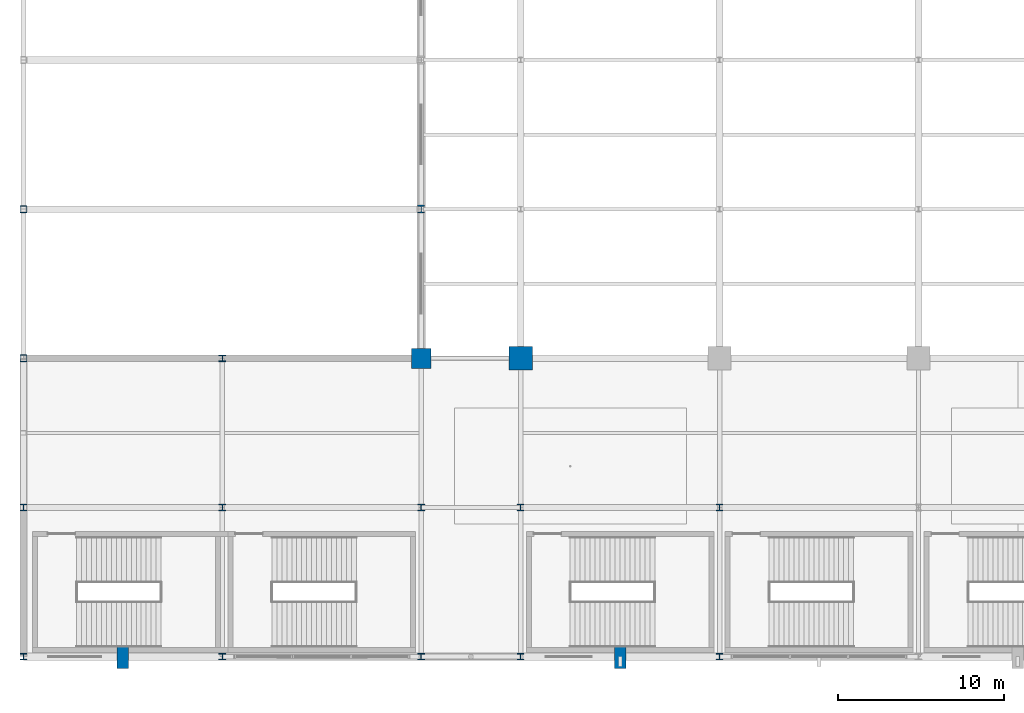
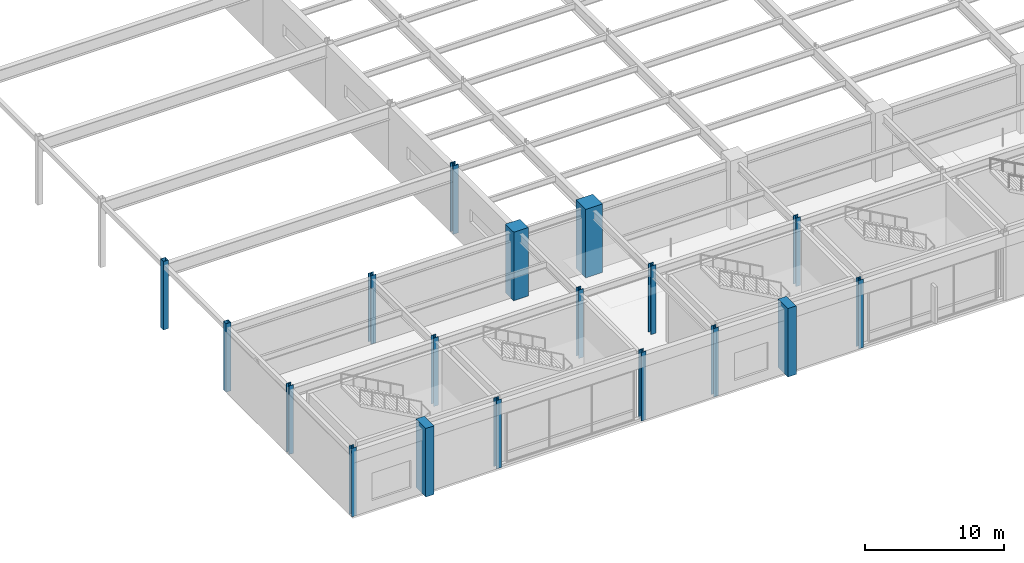
# One storey, part 1 of 105: 18 columns.
"""IFC4 building model written with IfcOpenShell, lengths in metres."""

import ifcopenshell
import ifcopenshell.guid

model = None  # the IFC model being written
_history = None  # IfcOwnerHistory: only IFC2X3 demands one
_inside = {}  # id of a spatial element -> (the spatial element, [elements in it])
_under = {}  # id of a project, library or spatial element -> (it, [spatial elements below it])
_declared = {}  # id of a project -> (the project, [libraries it declares])
_typed = {}  # id of a type object -> (the type object, [elements of that type])
_made_of = {}  # id of a material, layer set ... -> (it, [elements and type objects made of it])


def new_model(schema):
    """Start an empty IFC model of exactly this schema.

    Asked for "IFC4X3", IfcOpenShell would pick the latest addendum, in which some entities
    have other attributes; the version numbers below select the first issue.
    IFC2X3 requires an IfcOwnerHistory on every rooted entity: one is made here for all.
    """
    global model, _history
    if schema == "IFC4X3":
        model = ifcopenshell.file(schema_version=(4, 3, 0, 0))
    else:
        model = ifcopenshell.file(schema=schema)
    _inside.clear()
    _under.clear()
    _declared.clear()
    _typed.clear()
    _made_of.clear()
    _history = None
    if model.schema == "IFC2X3":
        org = make("IfcOrganization", Name="unknown")
        user = make(
            "IfcPersonAndOrganization",
            ThePerson=make("IfcPerson", FamilyName="unknown"),
            TheOrganization=org,
        )
        app = make(
            "IfcApplication",
            ApplicationDeveloper=org,
            Version="unknown",
            ApplicationFullName="unknown",
            ApplicationIdentifier="unknown",
        )
        _history = make(
            "IfcOwnerHistory",
            OwningUser=user,
            OwningApplication=app,
            ChangeAction="ADDED",
            CreationDate=0,
        )
    return model


def make(cls, **values):
    """One entity of the class cls with the attributes given. An attribute that is None is left unset."""
    return model.create_entity(
        cls, **{name: value for name, value in values.items() if value is not None}
    )


def rooted(cls, **values):
    """An entity with a GlobalId (a new one), such as an element, a storey or a relation."""
    return make(cls, GlobalId=ifcopenshell.guid.new(), OwnerHistory=_history, **values)


def si_unit(unit_type, name, prefix=None):
    """IfcSIUnit, for example si_unit("LENGTHUNIT", "METRE", prefix="MILLI")."""
    return make("IfcSIUnit", UnitType=unit_type, Prefix=prefix, Name=name)


def assignment(units):
    """IfcUnitAssignment: the units of a project."""
    return None if units is None else make("IfcUnitAssignment", Units=units)


def point(xyz):
    """IfcCartesianPoint."""
    return None if xyz is None else make("IfcCartesianPoint", Coordinates=xyz)


def direction(xyz):
    """IfcDirection."""
    return None if xyz is None else make("IfcDirection", DirectionRatios=xyz)


def frame(location, z_axis=None, x_axis=None):
    """IfcAxis2Placement3D, a coordinate frame: its origin and axes. An axis left out is left unset."""
    return make(
        "IfcAxis2Placement3D",
        Location=point(location),
        Axis=direction(z_axis),
        RefDirection=direction(x_axis),
    )


def frame_2d(location, x_axis=None):
    """IfcAxis2Placement2D, a coordinate frame in the plane: its origin and x axis."""
    return make(
        "IfcAxis2Placement2D", Location=point(location), RefDirection=direction(x_axis)
    )


def origin():
    """The frame at (0, 0, 0) with its axes left unset."""
    return frame((0.0, 0.0, 0.0))


def origin_2d():
    """The frame at (0, 0) in the plane with its x axis left unset."""
    return frame_2d((0.0, 0.0))


def place(relative_to, where):
    """IfcLocalPlacement: puts the frame where relative to a parent placement (None: the world)."""
    return make(
        "IfcLocalPlacement", PlacementRelTo=relative_to, RelativePlacement=where
    )


def context(
    kind, dimensions, precision=None, world=None, true_north=None, identifier=None
):
    """IfcGeometricRepresentationContext, for example the 3D "Model" context."""
    return make(
        "IfcGeometricRepresentationContext",
        ContextIdentifier=identifier,
        ContextType=kind,
        CoordinateSpaceDimension=dimensions,
        Precision=precision,
        WorldCoordinateSystem=world,
        TrueNorth=true_north,
    )


def subcontext(parent, identifier, kind, view, scale=None):
    """IfcGeometricRepresentationSubContext, for example "Body" below "Model"."""
    return make(
        "IfcGeometricRepresentationSubContext",
        ContextIdentifier=identifier,
        ContextType=kind,
        ParentContext=parent,
        TargetScale=scale,
        TargetView=view,
    )


def project(units=None, contexts=None):
    """IfcProject with its units and contexts."""
    return rooted(
        "IfcProject",
        Name="project",
        RepresentationContexts=contexts,
        UnitsInContext=assignment(units),
    )


def spatial(cls, under=None, at=None, **own):
    """A site, building, storey or space (cls), placed at a placement, below another one or the project."""
    s = rooted(cls, ObjectPlacement=at, **own)
    if under is not None:
        _under.setdefault(under.id(), (under, []))[1].append(s)
    return s


def profile(cls, at=None, kind="AREA", **sizes):
    """A parametric profile (cls). Its sizes go by their IFC names, for example OverallWidth=200.0."""
    return make(cls, ProfileType=kind, Position=at, **sizes)


def rectangle(**sizes):
    """IfcRectangleProfileDef."""
    return profile("IfcRectangleProfileDef", **sizes)


def hollow_rectangle(**sizes):
    """IfcRectangleHollowProfileDef."""
    return profile("IfcRectangleHollowProfileDef", **sizes)


def i_section(**sizes):
    """IfcIShapeProfileDef."""
    return profile("IfcIShapeProfileDef", **sizes)


def extrude(swept, where, along, depth):
    """IfcExtrudedAreaSolid: the profile swept, set in the frame where, extruded along a direction by depth."""
    return make(
        "IfcExtrudedAreaSolid",
        SweptArea=swept,
        Position=where,
        ExtrudedDirection=direction(along),
        Depth=depth,
    )


def shape(context_of_items, identifier, shape_type, items):
    """IfcShapeRepresentation: the items that make up one representation, for example the "Body"."""
    return make(
        "IfcShapeRepresentation",
        ContextOfItems=context_of_items,
        RepresentationIdentifier=identifier,
        RepresentationType=shape_type,
        Items=items,
    )


def material(Name=None, Category=None):
    """IfcMaterial."""
    return make("IfcMaterial", Name=Name, Category=Category)


def material_profile(
    of_material, cross_section, Name=None, Category=None, Priority=None
):
    """IfcMaterialProfile: a cross section and its material."""
    return make(
        "IfcMaterialProfile",
        Name=Name,
        Material=of_material,
        Profile=cross_section,
        Priority=Priority,
        Category=Category,
    )


def profile_set(profiles, Name=None, composite=None):
    """IfcMaterialProfileSet."""
    return make(
        "IfcMaterialProfileSet",
        Name=Name,
        MaterialProfiles=profiles,
        CompositeProfile=composite,
    )


def made_of(thing, what):
    """Note that an element or type object is made of a material, layer set ...; save() writes the relation."""
    if what is not None:
        _made_of.setdefault(what.id(), (what, []))[1].append(thing)
    return thing


def type_object(cls, material=None, **own):
    """A type object (cls), such as IfcWallType, which elements share."""
    return made_of(rooted(cls, **own), material)


def element(
    cls,
    number,
    at=None,
    inside=None,
    cuts=None,
    type_object=None,
    material=None,
    context=None,
    identifier="Body",
    shape_type=None,
    held_by="IfcProductDefinitionShape",
    body=None,
    shapes=None,
    **own,
):
    """One element of the class cls, such as IfcWall. Its Tag is "e" and its number.

    at: its placement. inside: the storey or other place that contains it. cuts: it is an
    opening in that element (IfcRelVoidsElement). A single representation is given by context,
    identifier, shape_type and body (its items); several are given by shapes. held_by: the class
    of the entity that holds the representations. save() writes the other relations.
    """
    e = rooted(cls, Tag="e%d" % number, ObjectPlacement=at, **own)
    if body is not None:
        shapes = [shape(context, identifier, shape_type, body)]
    if shapes is not None:
        e.Representation = make(held_by, Representations=shapes)
    if inside is not None:
        _inside.setdefault(inside.id(), (inside, []))[1].append(e)
    if cuts is not None:
        rooted(
            "IfcRelVoidsElement", RelatingBuildingElement=cuts, RelatedOpeningElement=e
        )
    if type_object is not None:
        _typed.setdefault(type_object.id(), (type_object, []))[1].append(e)
    return made_of(e, material)


def aggregate(whole, parts):
    """IfcRelAggregates: a whole, such as a stair, and the parts it consists of."""
    return rooted("IfcRelAggregates", RelatingObject=whole, RelatedObjects=parts)


def save(model, path):
    """Write the relations noted so far, then the file.

    IfcRelAggregates (storeys below a building ...), IfcRelContainedInSpatialStructure (elements
    in a storey), IfcRelDefinesByType, IfcRelAssociatesMaterial and IfcRelDeclares: one each for
    every whole, place, type object, material and project.
    """
    for whole, parts in _under.values():
        aggregate(whole, parts)
    for where, things in _inside.values():
        rooted(
            "IfcRelContainedInSpatialStructure",
            RelatedElements=things,
            RelatingStructure=where,
        )
    for kind, things in _typed.values():
        rooted("IfcRelDefinesByType", RelatedObjects=things, RelatingType=kind)
    for what, things in _made_of.values():
        rooted("IfcRelAssociatesMaterial", RelatedObjects=things, RelatingMaterial=what)
    for by, libraries in _declared.values():
        rooted("IfcRelDeclares", RelatingContext=by, RelatedDefinitions=libraries)
    model.write(path)


model = new_model("IFC4")

# Units and contexts
model_context = context("Model", 3, precision=1e-05, world=origin(), true_north=direction((0.0, 1.0)))
body_context = subcontext(model_context, "Body", "Model", "MODEL_VIEW")
ifc_project = project(units=[si_unit("LENGTHUNIT", "METRE"), si_unit("AREAUNIT", "SQUARE_METRE"), si_unit("VOLUMEUNIT", "CUBIC_METRE"), si_unit("PLANEANGLEUNIT", "RADIAN"), si_unit("MASSUNIT", "GRAM", prefix="KILO")], contexts=[model_context])

# Site, building, storey
site_placement = place(None, origin())
site = spatial("IfcSite", under=ifc_project, at=site_placement, CompositionType="ELEMENT")
building_placement = place(site_placement, origin())
building = spatial("IfcBuilding", under=site, at=building_placement, Name="Kaldorvane Square Convention Centre", CompositionType="ELEMENT")
storey_placement = place(building_placement, frame((0.0, 0.0, 6.0)))
storey = spatial("IfcBuildingStorey", under=building, at=storey_placement, Name="L01", CompositionType="ELEMENT", Elevation=6.0)

# Columns
ifc_material_1 = material(Name="Steel ASTM A500 Gr. C", Category="steel")
ifc_material_profile_1 = material_profile(ifc_material_1, hollow_rectangle(XDim=0.406402587890625, YDim=0.406402587890625, WallThickness=0.014801025390625, at=origin_2d()), Name="HSS16X16X5/8")
ifc_profile_set_1 = profile_set([ifc_material_profile_1], Name="Steel ASTM A500 Gr. C")
column_type_1 = type_object("IfcColumnType", Name="COL-HSS-16", PredefinedType="COLUMN", material=ifc_profile_set_1)
for number, where, z_axis, x_axis, name in (
    (1, (0.0, 18.0, 0.0), (0.0, 0.0, 1.0), (1.0, 0.0, 0.0), "Column SC-14 (L01)"),
    (2, (0.0, 27.0, 0.0), (0.0, 0.0, 1.0), (1.0, 0.0, 0.0), "Column SC-14 (L01)"),
):
    element("IfcColumn", number, at=place(storey_placement, frame(where, z_axis=z_axis, x_axis=x_axis)), inside=storey, type_object=column_type_1, Name=name, PredefinedType="COLUMN", context=body_context, shape_type="SweptSolid", body=[
        extrude(hollow_rectangle(XDim=0.406402587890625, YDim=0.406402587890625, WallThickness=0.014801025390625, at=origin_2d()), origin(), (0.0, 0.0, 1.0), 6.0),
    ])
ifc_material_2 = material(Name="Concrete f'c = 55 MPa (Normalweight)", Category="concrete")
ifc_material_profile_2 = material_profile(ifc_material_2, rectangle(XDim=1.1999969482421875, YDim=1.1999969482421875, at=origin_2d()), Name="RC1200X1200")
ifc_profile_set_2 = profile_set([ifc_material_profile_2], Name="Concrete f'c = 55 MPa (Normalweight)")
column_type_2 = type_object("IfcColumnType", Name="COL-MEGA-1200", PredefinedType="COLUMN", material=ifc_profile_set_2)
column_1_placement = place(storey_placement, frame((24.0, 18.0, 0.0), z_axis=(0.0, 0.0, 1.0), x_axis=(1.0, 0.0, 0.0)))
element("IfcColumn", 3, at=column_1_placement, inside=storey, type_object=column_type_2, Name="Column MC-02 (L01)", PredefinedType="COLUMN", context=body_context, shape_type="SweptSolid", body=[
    extrude(rectangle(XDim=1.1999969482421875, YDim=1.1999969482421875, at=origin_2d()), origin(), (0.0, 0.0, 1.0), 6.0),
])
ifc_material_profile_3 = material_profile(ifc_material_2, rectangle(XDim=1.399993896484375, YDim=1.399993896484375, at=origin_2d()), Name="RC1400X1400")
ifc_profile_set_3 = profile_set([ifc_material_profile_3], Name="Concrete f'c = 55 MPa (Normalweight)")
column_type_3 = type_object("IfcColumnType", Name="COL-MEGA-1400", PredefinedType="COLUMN", material=ifc_profile_set_3)
column_2_placement = place(storey_placement, frame((30.0, 18.0, 0.0), z_axis=(0.0, 0.0, 1.0), x_axis=(1.0, 0.0, 0.0)))
element("IfcColumn", 4, at=column_2_placement, inside=storey, type_object=column_type_3, Name="Column MC-01 (L01)", PredefinedType="COLUMN", context=body_context, shape_type="SweptSolid", body=[
    extrude(rectangle(XDim=1.399993896484375, YDim=1.399993896484375, at=origin_2d()), origin(), (0.0, 0.0, 1.0), 6.0),
])
ifc_material_3 = material(Name="Steel ASTM A992 Gr. 50", Category="steel")
ifc_material_profile_4 = material_profile(ifc_material_3, i_section(OverallWidth=0.40130615234375, OverallDepth=0.3993072509765625, WebThickness=0.02490234375, FlangeThickness=0.0395965576171875, FilletRadius=0.0305023193359375, at=origin_2d()), Name="W14X211")
ifc_profile_set_4 = profile_set([ifc_material_profile_4], Name="Steel ASTM A992 Gr. 50")
column_type_4 = type_object("IfcColumnType", Name="COL-STL-211", PredefinedType="COLUMN", material=ifc_profile_set_4)
for number, where, z_axis, x_axis, name in (
    (5, (0.0, 0.0, 0.0), (0.0, 0.0, 1.0), (1.0, 0.0, 0.0), "Column SC-08 (L01)"),
    (6, (0.0, 9.0, 0.0), (0.0, 0.0, 1.0), (1.0, 0.0, 0.0), "Column SC-08 (L01)"),
    (7, (12.0, 0.0, 0.0), (0.0, 0.0, 1.0), (1.0, 0.0, 0.0), "Column SC-08 (L01)"),
    (8, (12.0, 9.0, 0.0), (0.0, 0.0, 1.0), (1.0, 0.0, 0.0), "Column SC-08 (L01)"),
    (9, (12.0, 18.0, 0.0), (0.0, 0.0, 1.0), (1.0, 0.0, 0.0), "Column SC-08 (L01)"),
    (10, (24.0, 0.0, 0.0), (0.0, 0.0, 1.0), (1.0, 0.0, 0.0), "Column SC-08 (L01)"),
    (11, (24.0, 9.0, 0.0), (0.0, 0.0, 1.0), (1.0, 0.0, 0.0), "Column SC-08 (L01)"),
    (12, (30.0, 0.0, 0.0), (0.0, 0.0, 1.0), (1.0, 0.0, 0.0), "Column SC-08 (L01)"),
    (13, (30.0, 9.0, 0.0), (0.0, 0.0, 1.0), (1.0, 0.0, 0.0), "Column SC-08 (L01)"),
    (14, (42.0, 0.0, 0.0), (0.0, 0.0, 1.0), (1.0, 0.0, 0.0), "Column SC-08 (L01)"),
    (15, (42.0, 9.0, 0.0), (0.0, 0.0, 1.0), (1.0, 0.0, 0.0), "Column SC-08 (L01)"),
):
    element("IfcColumn", number, at=place(storey_placement, frame(where, z_axis=z_axis, x_axis=x_axis)), inside=storey, type_object=column_type_4, Name=name, PredefinedType="COLUMN", context=body_context, shape_type="SweptSolid", body=[
        extrude(i_section(OverallWidth=0.40130615234375, OverallDepth=0.3993072509765625, WebThickness=0.02490234375, FlangeThickness=0.0395965576171875, FilletRadius=0.0305023193359375, at=origin_2d()), origin(), (0.0, 0.0, 1.0), 6.0),
    ])
ifc_material_profile_5 = material_profile(ifc_material_3, i_section(OverallWidth=0.424102783203125, OverallDepth=0.4741973876953125, WebThickness=0.047607421875, FlangeThickness=0.0771026611328125, FilletRadius=0.0305023193359375, at=origin_2d()), Name="W14X426")
ifc_profile_set_5 = profile_set([ifc_material_profile_5], Name="Steel ASTM A992 Gr. 50")
column_type_5 = type_object("IfcColumnType", Name="COL-STL-426", PredefinedType="COLUMN", material=ifc_profile_set_5)
column_3_placement = place(storey_placement, frame((24.0, 27.0, 0.0), z_axis=(0.0, 0.0, 1.0), x_axis=(1.0, 0.0, 0.0)))
element("IfcColumn", 16, at=column_3_placement, inside=storey, type_object=column_type_5, Name="Column SC-04 (L01)", PredefinedType="COLUMN", context=body_context, shape_type="SweptSolid", body=[
    extrude(i_section(OverallWidth=0.424102783203125, OverallDepth=0.4741973876953125, WebThickness=0.047607421875, FlangeThickness=0.0771026611328125, FilletRadius=0.0305023193359375, at=origin_2d()), origin(), (0.0, 0.0, 1.0), 6.0),
])
ifc_material_profile_6 = material_profile(ifc_material_2, rectangle(XDim=0.6999969482421875, YDim=1.399993896484375, at=origin_2d()), Name="PIL1400X700")
ifc_profile_set_6 = profile_set([ifc_material_profile_6], Name="Concrete f'c = 55 MPa (Normalweight)")
column_type_6 = type_object("IfcColumnType", Name="PIL-BRUT-1400", PredefinedType="PILASTER", material=ifc_profile_set_6)
for number, where, z_axis, x_axis, name in (
    (17, (6.0, 0.0, 0.0), (0.0, 0.0, 1.0), (1.0, 0.0, 0.0), "Brutalist Colonnade Pilaster (L01)"),
    (18, (36.0, 0.0, 0.0), (0.0, 0.0, 1.0), (1.0, 0.0, 0.0), "Brutalist Colonnade Pilaster (L01)"),
):
    element("IfcColumn", number, at=place(storey_placement, frame(where, z_axis=z_axis, x_axis=x_axis)), inside=storey, type_object=column_type_6, Name=name, PredefinedType="PILASTER", context=body_context, shape_type="SweptSolid", body=[
        extrude(rectangle(XDim=0.6999969482421875, YDim=1.399993896484375, at=origin_2d()), origin(), (0.0, 0.0, 1.0), 6.0),
    ])

save(model, "model.ifc")
